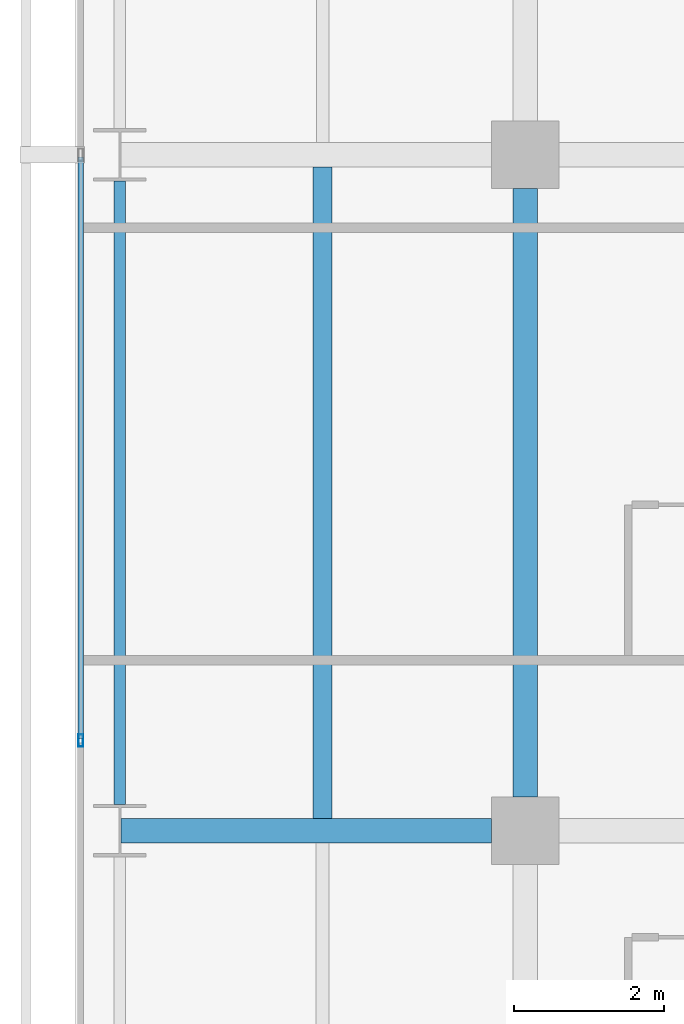
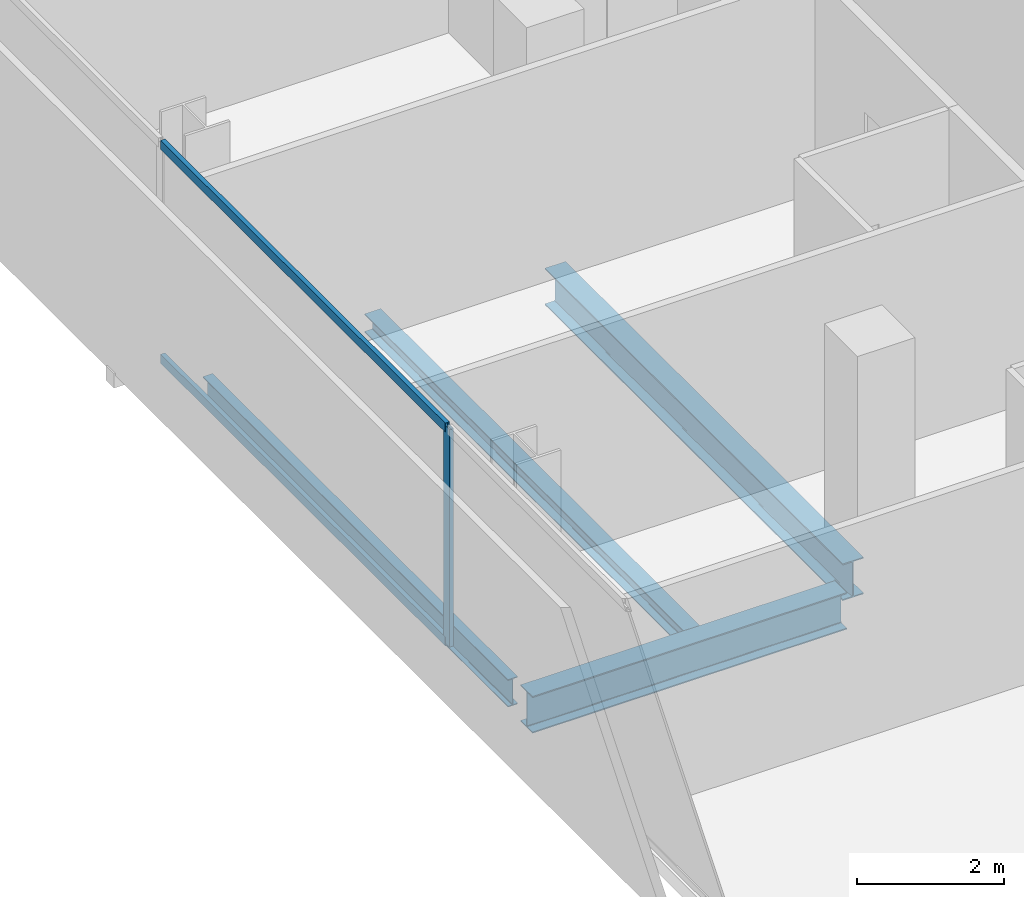
# One storey, part 10 of 40: 4 beams, 3 members, 1 element without a shape of its own.
"""IFC4 building model written with IfcOpenShell, lengths in metres."""

from ifc_helpers import new_model, si_unit, direction, frame, origin, origin_2d, place, context, subcontext, project, spatial, hollow_rectangle, i_section, extrude, material, layer, layer_set, material_profile, profile_set, type_object, element, aggregate, save


model = new_model("IFC4")

# Units and contexts
model_context = context("Model", 3, precision=1e-05, world=origin(), true_north=direction((0.0, 1.0)))
body_context = subcontext(model_context, "Body", "Model", "MODEL_VIEW")
ifc_project = project(units=[si_unit("LENGTHUNIT", "METRE"), si_unit("AREAUNIT", "SQUARE_METRE"), si_unit("VOLUMEUNIT", "CUBIC_METRE"), si_unit("PLANEANGLEUNIT", "RADIAN"), si_unit("MASSUNIT", "GRAM", prefix="KILO")], contexts=[model_context])

# Site, building, storey
site_placement = place(None, origin())
site = spatial("IfcSite", under=ifc_project, at=site_placement, CompositionType="ELEMENT")
building_placement = place(site_placement, origin())
building = spatial("IfcBuilding", under=site, at=building_placement, Name="Maruvema Waterfront Hotel and Observation Tower", CompositionType="ELEMENT")
storey_placement = place(building_placement, frame((0.0, 0.0, 88.550048828125)))
storey = spatial("IfcBuildingStorey", under=building, at=storey_placement, Name="L21", CompositionType="ELEMENT", Elevation=88.550048828125)

# Curtain wall, members
ifc_material_1 = material(Name="Anodised bronze aluminium and solar-control low-E IGU", Category="aluminium")
ifc_layer = layer(ifc_material_1, 0.159912109375, Name="Zone 1 Bronze Inner Thermal Curtain Wall System CW-02")
ifc_layer_set = layer_set([ifc_layer], Name="Anodised bronze aluminium and solar-control low-E IGU")
curtain_wall_type = type_object("IfcCurtainWallType", Name="Zone 1 Bronze Inner Thermal Curtain Wall System CW-02", PredefinedType="USERDEFINED", material=ifc_layer_set)
curtain_wall_placement = place(storey_placement, origin())
curtain_wall = element("IfcCurtainWall", 1, at=curtain_wall_placement, inside=storey, type_object=curtain_wall_type, Name="L21 Curtain Wall CW-L21-W", ObjectType="UNITISED CURTAIN WALL", PredefinedType="USERDEFINED")
ifc_material_2 = material(Name="Anodised architectural bronze aluminium", Category="aluminium")
ifc_material_profile_1 = material_profile(ifc_material_2, hollow_rectangle(XDim=0.070068359375, YDim=0.14990234375, WallThickness=0.00390625, at=origin_2d()), Name="ALU-T70x150")
ifc_profile_set_1 = profile_set([ifc_material_profile_1], Name="Anodised architectural bronze aluminium")
member_type_1 = type_object("IfcMemberType", Name="Curtain Wall Horizontal Transom ALU-T70x150", PredefinedType="USERDEFINED", material=ifc_profile_set_1)
member_1_placement = place(storey_placement, frame((10.8798828125, 26.969970703125, 0.030029296875), z_axis=(0.0, -1.0, 0.0), x_axis=(1.0, 0.0, 0.0)))
member_1 = element("IfcMember", 2, at=member_1_placement, type_object=member_type_1, Name="CW-02 transom 4.1", ObjectType="TRANSOM", PredefinedType="USERDEFINED", context=body_context, shape_type="SweptSolid", body=[
    extrude(hollow_rectangle(XDim=0.070068359375, YDim=0.14990234375, WallThickness=0.00390625, at=origin_2d()), origin(), (0.0, 0.0, 1.0), 7.739990234375),
])
member_2_placement = place(storey_placement, frame((10.8798828125, 26.969970703125, 3.579833984375), z_axis=(0.0, -1.0, 0.0), x_axis=(1.0, 0.0, 0.0)))
member_2 = element("IfcMember", 3, at=member_2_placement, type_object=member_type_1, Name="CW-02 transom 4.2", ObjectType="TRANSOM", PredefinedType="USERDEFINED", context=body_context, shape_type="SweptSolid", body=[
    extrude(hollow_rectangle(XDim=0.070068359375, YDim=0.14990234375, WallThickness=0.00390625, at=origin_2d()), origin(), (0.0, 0.0, 1.0), 7.739990234375),
])
ifc_material_3 = material(Name="Anodised architectural bronze aluminium", Category="aluminium")
ifc_material_profile_2 = material_profile(ifc_material_3, hollow_rectangle(XDim=0.06494140625, YDim=0.1650390625, WallThickness=0.00390625, at=origin_2d()), Name="ALU-M65x165")
ifc_profile_set_2 = profile_set([ifc_material_profile_2], Name="Anodised architectural bronze aluminium")
member_type_2 = type_object("IfcMemberType", Name="Curtain Wall Primary Mullion ALU-M65x165", PredefinedType="MULLION", material=ifc_profile_set_2)
member_3_placement = place(storey_placement, frame((10.8798828125, 19.199951171875, 0.0), z_axis=(0.0, 0.0, 1.0), x_axis=(1.0, 0.0, 0.0)))
member_3 = element("IfcMember", 4, at=member_3_placement, type_object=member_type_2, Name="CW-02 mullion 5", PredefinedType="MULLION", context=body_context, shape_type="SweptSolid", body=[
    extrude(hollow_rectangle(XDim=0.06494140625, YDim=0.1650390625, WallThickness=0.00390625, at=origin_2d()), origin(), (0.0, 0.0, 1.0), 3.60986328125),
])
aggregate(curtain_wall, [member_3, member_1, member_2])

# Beams
ifc_material_4 = material(Name="Steel ASTM A572 Grade 50", Category="steel")
ifc_material_profile_3 = material_profile(ifc_material_4, i_section(OverallWidth=0.153076171875, OverallDepth=0.455078125, WebThickness=0.008056640625, FlangeThickness=0.01318359375, FilletRadius=0.014892578125, at=origin_2d()), Name="W460x60.0")
ifc_profile_set_3 = profile_set([ifc_material_profile_3], Name="Steel ASTM A572 Grade 50")
beam_type_1 = type_object("IfcBeamType", Name="Perimeter Spandrel Beam W460x60.0", PredefinedType="SPANDREL", material=ifc_profile_set_3)
beam_1_placement = place(storey_placement, frame((11.39990234375, 18.35009765625, -0.467529296875), z_axis=(0.0, 1.0, 0.0), x_axis=(-1.0, 0.0, 0.0)))
element("IfcBeam", 5, at=beam_1_placement, inside=storey, type_object=beam_type_1, Name="L21 Floor Girder NS-02", PredefinedType="SPANDREL", context=body_context, shape_type="SweptSolid", body=[
    extrude(i_section(OverallWidth=0.153076171875, OverallDepth=0.455078125, WebThickness=0.008056640625, FlangeThickness=0.01318359375, FilletRadius=0.014892578125, at=origin_2d()), origin(), (0.0, 0.0, 1.0), 8.2998046875),
])
ifc_material_5 = material(Name="Steel ASTM A572 Grade 50", Category="steel")
ifc_material_profile_4 = material_profile(ifc_material_5, i_section(OverallWidth=0.323974609375, OverallDepth=0.611083984375, WebThickness=0.0126953125, FlangeThickness=0.01904296875, FilletRadius=0.01806640625, at=origin_2d()), Name="W610x155.0")
ifc_profile_set_4 = profile_set([ifc_material_profile_4], Name="Steel ASTM A572 Grade 50")
beam_type_2 = type_object("IfcBeamType", Name="Primary Floor Girder W610x155.0", PredefinedType="BEAM", material=ifc_profile_set_4)
beam_2_placement = place(storey_placement, frame((11.4140625, 18.0, -0.545654296875), z_axis=(1.0, 0.0, 0.0), x_axis=(0.0, 1.0, 0.0)))
element("IfcBeam", 6, at=beam_2_placement, inside=storey, type_object=beam_type_2, Name="L21 Floor Girder EW-13", PredefinedType="BEAM", context=body_context, shape_type="SweptSolid", body=[
    extrude(i_section(OverallWidth=0.323974609375, OverallDepth=0.611083984375, WebThickness=0.0126953125, FlangeThickness=0.01904296875, FilletRadius=0.01806640625, at=origin_2d()), origin(), (0.0, 0.0, 1.0), 4.93603515625),
])
beam_3_placement = place(storey_placement, frame((16.800048828125, 18.449951171875, -0.545654296875), z_axis=(0.0, 1.0, 0.0), x_axis=(-1.0, 0.0, 0.0)))
element("IfcBeam", 7, at=beam_3_placement, inside=storey, type_object=beam_type_2, Name="L21 Floor Girder NS-07", PredefinedType="BEAM", context=body_context, shape_type="SweptSolid", body=[
    extrude(i_section(OverallWidth=0.323974609375, OverallDepth=0.611083984375, WebThickness=0.0126953125, FlangeThickness=0.01904296875, FilletRadius=0.01806640625, at=origin_2d()), origin(), (0.0, 0.0, 1.0), 8.10009765625),
])
ifc_material_6 = material(Name="Steel ASTM A572 Grade 50", Category="steel")
ifc_material_profile_5 = material_profile(ifc_material_6, i_section(OverallWidth=0.25390625, OverallDepth=0.305908203125, WebThickness=0.0087890625, FlangeThickness=0.0146484375, FilletRadius=0.014892578125, at=origin_2d()), Name="W310x79.0")
ifc_profile_set_5 = profile_set([ifc_material_profile_5], Name="Steel ASTM A572 Grade 50")
beam_type_3 = type_object("IfcBeamType", Name="Secondary Floor Joist W310x79.0", PredefinedType="JOIST", material=ifc_profile_set_5)
beam_4_placement = place(storey_placement, frame((14.10009765625, 18.162109375, -0.39306640625), z_axis=(0.0, 1.0, 0.0), x_axis=(-1.0, 0.0, 0.0)))
element("IfcBeam", 8, at=beam_4_placement, inside=storey, type_object=beam_type_3, Name="L21 Secondary Floor Joist JS-02", PredefinedType="JOIST", context=body_context, shape_type="SweptSolid", body=[
    extrude(i_section(OverallWidth=0.25390625, OverallDepth=0.305908203125, WebThickness=0.0087890625, FlangeThickness=0.0146484375, FilletRadius=0.014892578125, at=origin_2d()), origin(), (0.0, 0.0, 1.0), 8.67578125),
])

save(model, "model.ifc")
